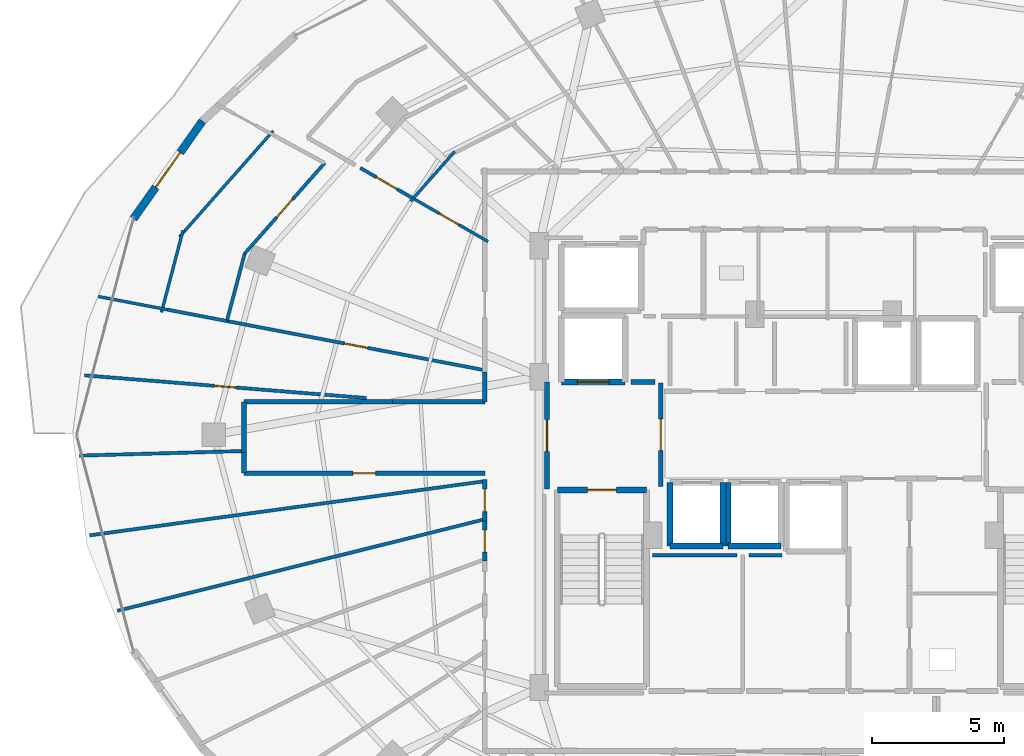
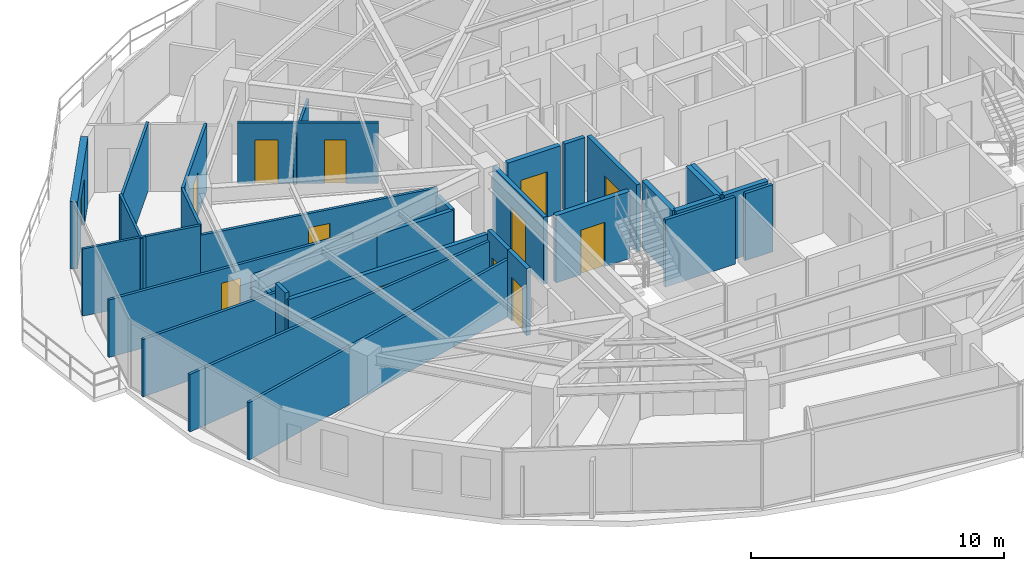
# One storey, part 25 of 33: 35 walls, 13 doors, 13 openings.
"""IFC4 building model written with IfcOpenShell, lengths in metres."""

from ifc_helpers import new_model, si_unit, direction, frame, frame_2d, origin, place, context, subcontext, project, spatial, rectangle, extrude, material, layer, layer_set, type_object, element, fill, save


model = new_model("IFC4")

# Units and contexts
model_context = context("Model", 3, precision=1e-05, world=origin(), true_north=direction((0.0, 1.0)))
body_context = subcontext(model_context, "Body", "Model", "MODEL_VIEW")
ifc_project = project(units=[si_unit("LENGTHUNIT", "METRE"), si_unit("AREAUNIT", "SQUARE_METRE"), si_unit("VOLUMEUNIT", "CUBIC_METRE"), si_unit("PLANEANGLEUNIT", "RADIAN"), si_unit("MASSUNIT", "GRAM", prefix="KILO")], contexts=[model_context])

# Site, building, storey
site_placement = place(None, origin())
site = spatial("IfcSite", under=ifc_project, at=site_placement, CompositionType="ELEMENT")
building_placement = place(site_placement, origin())
building = spatial("IfcBuilding", under=site, at=building_placement, Name="Vorneva Point Tower", CompositionType="ELEMENT")
storey_placement = place(building_placement, frame((0.0, 0.0, 189.60009765625)))
storey = spatial("IfcBuildingStorey", under=building, at=storey_placement, Name="L51", CompositionType="ELEMENT", Elevation=189.60009765625)

# Wall, opening, door
ifc_material_1 = material(Name="Concrete B60 (C50/60)", Category="concrete")
ifc_layer_1 = layer(ifc_material_1, 0.35009765625)
ifc_layer_set_1 = layer_set([ifc_layer_1], Name="Concrete B60 (C50/60)")
wall_type_1 = type_object("IfcWallType", Name="WL-CORE-350", PredefinedType="SHEAR", material=ifc_layer_set_1)
wall_1_placement = place(storey_placement, frame((28.10009765625, 28.0, 0.0), z_axis=(0.0, 0.0, 1.0), x_axis=(1.0, 0.0, 0.0)))
wall_1 = element("IfcWall", 1, at=wall_1_placement, inside=storey, type_object=wall_type_1, Name="L51 Lift FFL1 Shaft Wall -Y", PredefinedType="SHEAR", context=body_context, shape_type="SweptSolid", body=[
    extrude(rectangle(XDim=2.39990234375, YDim=0.219970703125, at=frame_2d((1.199951171875, 0.0))), origin(), (0.0, 0.0, 1.0), 3.239990234375),
])
opening_1_placement = place(wall_1_placement, frame((0.60009765625, 0.0, 0.0)))
opening_1 = element("IfcOpeningElement", 2, at=opening_1_placement, cuts=wall_1, Name="Opening LD-02", PredefinedType="OPENING", context=body_context, shape_type="SweptSolid", body=[
    extrude(rectangle(XDim=1.199951171875, YDim=2.199951171875, at=frame_2d((0.60009765625, 1.10009765625))), frame((0.0, 0.125, 0.0), z_axis=(0.0, -1.0, 0.0), x_axis=(1.0, 0.0, 0.0)), (0.0, 0.0, 1.0), 0.249755859375),
])
ifc_material_2 = material(Name="Brushed stainless steel S304", Category="steel")
door_type_1 = type_object("IfcDoorType", Name="LD-FIRE-1200", OperationType="SLIDING_TO_LEFT", PredefinedType="DOOR", material=ifc_material_2)
door_1_placement = place(opening_1_placement, origin())
door_1 = element("IfcDoor", 3, at=door_1_placement, inside=storey, type_object=door_type_1, Name="L51 Lift FFL1 Sliding Landing Door", OperationType="SLIDING_TO_LEFT", OverallHeight=2.199951171875, OverallWidth=1.199951171875, PredefinedType="DOOR", context=body_context, shape_type="SweptSolid", body=[
    extrude(rectangle(XDim=1.199951171875, YDim=2.199951171875, at=frame_2d((0.60009765625, 1.10009765625))), frame((0.0, 0.02490234375, 0.0), z_axis=(0.0, -1.0, 0.0), x_axis=(1.0, 0.0, 0.0)), (0.0, 0.0, 1.0), 0.050048828125),
])
fill(opening_1, door_1)

ifc_material_3 = material(Name="Precast concrete B50 (C40/50)", Category="concrete")
ifc_layer_2 = layer(ifc_material_3, 0.300048828125)
ifc_layer_set_2 = layer_set([ifc_layer_2], Name="Precast concrete B50 (C40/50)")
wall_type_2 = type_object("IfcWallType", Name="WL-EXT-300", PredefinedType="STANDARD", material=ifc_layer_set_2)
wall_2_placement = place(storey_placement, frame((14.527587890625, 37.861328125, 0.0), z_axis=(0.0, 0.0, 1.0), x_axis=(-0.577168747264, -0.81662490605, 0.0)))
wall_2 = element("IfcWall", 4, at=wall_2_placement, inside=storey, type_object=wall_type_2, Name="L51 Pale-Metal Facade Spandrel Wall 07.2", PredefinedType="STANDARD", context=body_context, shape_type="SweptSolid", body=[
    extrude(rectangle(XDim=4.519775390625, YDim=0.300048828125, at=frame_2d((2.259765625, 0.0))), origin(), (0.0, 0.0, 1.0), 3.239990234375),
])
opening_2_placement = place(wall_2_placement, frame((1.4599609375, 0.0, 0.0)))
opening_2 = element("IfcOpeningElement", 5, at=opening_2_placement, cuts=wall_2, Name="Opening BD-01", PredefinedType="OPENING", context=body_context, shape_type="SweptSolid", body=[
    extrude(rectangle(XDim=1.60009765625, YDim=2.300048828125, at=frame_2d((0.800048828125, 1.14990234375))), frame((0.0, 0.1650390625, 0.0), z_axis=(0.0, -1.0, 0.0), x_axis=(1.0, 0.0, 0.0)), (0.0, 0.0, 1.0), 0.329833984375),
])
ifc_material_4 = material(Name="Pale anodised aluminium", Category="aluminium")
door_type_2 = type_object("IfcDoorType", Name="DR-BAL-1600", OperationType="SLIDING_TO_LEFT", PredefinedType="DOOR", material=ifc_material_4)
door_2_placement = place(opening_2_placement, origin())
door_2 = element("IfcDoor", 6, at=door_2_placement, inside=storey, type_object=door_type_2, Name="L51 Balcony Terrace Access Door 07", OperationType="SLIDING_TO_LEFT", OverallHeight=2.300048828125, OverallWidth=1.60009765625, PredefinedType="DOOR", context=body_context, shape_type="SweptSolid", body=[
    extrude(rectangle(XDim=1.60009765625, YDim=2.300048828125, at=frame_2d((0.800048828125, 1.14990234375))), frame((0.0, 0.02490234375, 0.0), z_axis=(0.0, -1.0, 0.0), x_axis=(1.0, 0.0, 0.0)), (0.0, 0.0, 1.0), 0.050048828125),
])
fill(opening_2, door_2)

ifc_material_5 = material(Name="Fire-rated acoustic gypsum stud partition", Category="gypsum")
ifc_layer_3 = layer(ifc_material_5, 0.110107421875)
ifc_layer_set_3 = layer_set([ifc_layer_3], Name="Fire-rated acoustic gypsum stud partition")
wall_type_3 = type_object("IfcWallType", Name="WL-PART-110", PredefinedType="PARTITIONING", material=ifc_layer_set_3)
wall_3_placement = place(storey_placement, frame((25.3212890625, 33.30615234375, 0.0), z_axis=(0.0, 0.0, 1.0), x_axis=(-0.866517217622, 0.49914718427, 0.0)))
wall_3 = element("IfcWall", 7, at=wall_3_placement, inside=storey, type_object=wall_type_3, Name="L51 Interior Partition 095", PredefinedType="PARTITIONING", context=body_context, shape_type="SweptSolid", body=[
    extrude(rectangle(XDim=3.4052734375, YDim=0.110107421875, at=frame_2d((1.70263671875, 0.0))), origin(), (0.0, 0.0, 1.0), 2.921875),
])
opening_3_placement = place(wall_3_placement, frame((1.277587890625, 0.0, 0.0)))
opening_3 = element("IfcOpeningElement", 8, at=opening_3_placement, cuts=wall_3, Name="Opening ID-02", PredefinedType="OPENING", context=body_context, shape_type="SweptSolid", body=[
    extrude(rectangle(XDim=0.85009765625, YDim=2.10009765625, at=frame_2d((0.425048828125, 1.050048828125))), frame((0.0, 0.06982421875, 0.0), z_axis=(0.0, -1.0, 0.0), x_axis=(1.0, 0.0, 0.0)), (0.0, 0.0, 1.0), 0.139892578125),
])
ifc_material_6 = material(Name="Engineered oak fire-rated door leaf", Category="wood")
door_type_3 = type_object("IfcDoorType", Name="DR-BATH-850", OperationType="NOTDEFINED", PredefinedType="DOOR", material=ifc_material_6)
door_3_placement = place(opening_3_placement, origin())
door_3 = element("IfcDoor", 9, at=door_3_placement, inside=storey, type_object=door_type_3, Name="L51 Door Living and Dining Room L51-02 / Bathroom L51-02", OperationType="SINGLE_SWING_LEFT", OverallHeight=2.10009765625, OverallWidth=0.85009765625, PredefinedType="DOOR", context=body_context, shape_type="SweptSolid", body=[
    extrude(rectangle(XDim=0.85009765625, YDim=2.10009765625, at=frame_2d((0.425048828125, 1.050048828125))), frame((0.0, 0.02490234375, 0.0), z_axis=(0.0, -1.0, 0.0), x_axis=(1.0, 0.0, 0.0)), (0.0, 0.0, 1.0), 0.050048828125),
])
fill(opening_3, door_3)

# Walls
wall_4_placement = place(storey_placement, frame((13.21044921875, 30.728759765625, 0.0), z_axis=(0.0, 0.0, 1.0), x_axis=(-0.982266305937, 0.187491077708, 0.0)))
element("IfcWall", 10, at=wall_4_placement, inside=storey, type_object=wall_type_3, Name="L51 Interior Partition 097", PredefinedType="PARTITIONING", context=body_context, shape_type="SweptSolid", body=[
    extrude(rectangle(XDim=2.664306640625, YDim=0.110107421875, at=frame_2d((1.33203125, 0.0))), origin(), (0.0, 0.0, 1.0), 3.239990234375),
])
wall_5_placement = place(storey_placement, frame((22.3994140625, 34.8310546875, 0.0), z_axis=(0.0, 0.0, 1.0), x_axis=(0.662292938072, 0.749244996099, 0.0)))
element("IfcWall", 11, at=wall_5_placement, inside=storey, type_object=wall_type_3, Name="L51 Interior Partition 103", PredefinedType="PARTITIONING", context=body_context, shape_type="SweptSolid", body=[
    extrude(rectangle(XDim=2.512939453125, YDim=0.110107421875, at=frame_2d((1.25634765625, 0.0))), origin(), (0.0, 0.0, 1.0), 2.431884765625),
])
wall_6_placement = place(storey_placement, frame((12.978515625, 30.631591796875, 0.0), z_axis=(0.0, 0.0, 1.0), x_axis=(0.254121849718, 0.967172210879, 0.0)))
element("IfcWall", 12, at=wall_6_placement, inside=storey, type_object=wall_type_3, Name="L51 Interior Partition 105", PredefinedType="PARTITIONING", context=body_context, shape_type="SweptSolid", body=[
    extrude(rectangle(XDim=3.203125, YDim=0.110107421875, at=frame_2d((1.6015625, 0.0))), origin(), (0.0, 0.0, 1.0), 3.239990234375),
])
wall_7_placement = place(storey_placement, frame((13.664306640625, 33.489013671875, 0.0), z_axis=(0.0, 0.0, 1.0), x_axis=(0.662149418065, 0.74937183571, 0.0)))
element("IfcWall", 13, at=wall_7_placement, inside=storey, type_object=wall_type_3, Name="L51 Interior Partition 106", PredefinedType="PARTITIONING", context=body_context, shape_type="SweptSolid", body=[
    extrude(rectangle(XDim=5.337890625, YDim=0.110107421875, at=frame_2d((2.6689453125, 0.0))), origin(), (0.0, 0.0, 1.0), 3.239990234375),
])

# Wall, opening, door
ifc_layer_4 = layer(ifc_material_5, 0.125)
ifc_layer_set_4 = layer_set([ifc_layer_4], Name="Fire-rated acoustic gypsum stud partition")
wall_type_4 = type_object("IfcWallType", Name="WL-PART-125", PredefinedType="PARTITIONING", material=ifc_layer_set_4)
wall_8_placement = place(storey_placement, frame((22.491943359375, 34.93603515625, 0.0), z_axis=(0.0, 0.0, 1.0), x_axis=(-0.866435390844, 0.499289208267, 0.0)))
wall_8 = element("IfcWall", 14, at=wall_8_placement, inside=storey, type_object=wall_type_4, Name="L51 Interior Partition 094", PredefinedType="PARTITIONING", context=body_context, shape_type="SweptSolid", body=[
    extrude(rectangle(XDim=2.309326171875, YDim=0.125, at=frame_2d((1.15478515625, 0.0))), origin(), (0.0, 0.0, 1.0), 2.921875),
])
opening_4_placement = place(wall_8_placement, frame((0.70458984375, 0.0, 0.0)))
opening_4 = element("IfcOpeningElement", 15, at=opening_4_placement, cuts=wall_8, Name="Opening ID-01", PredefinedType="OPENING", context=body_context, shape_type="SweptSolid", body=[
    extrude(rectangle(XDim=0.89990234375, YDim=2.10009765625, at=frame_2d((0.449951171875, 1.050048828125))), frame((0.0, 0.077392578125, 0.0), z_axis=(0.0, -1.0, 0.0), x_axis=(1.0, 0.0, 0.0)), (0.0, 0.0, 1.0), 0.15478515625),
])
door_type_4 = type_object("IfcDoorType", Name="DR-ROOM-900", OperationType="NOTDEFINED", PredefinedType="DOOR", material=ifc_material_6)
door_4_placement = place(opening_4_placement, origin())
door_4 = element("IfcDoor", 16, at=door_4_placement, inside=storey, type_object=door_type_4, Name="L51 Door Living and Dining Room L51-02 / Family Dining Room L51-02", OperationType="SINGLE_SWING_RIGHT", OverallHeight=2.10009765625, OverallWidth=0.89990234375, PredefinedType="DOOR", context=body_context, shape_type="SweptSolid", body=[
    extrude(rectangle(XDim=0.89990234375, YDim=2.10009765625, at=frame_2d((0.449951171875, 1.050048828125))), frame((0.0, 0.02490234375, 0.0), z_axis=(0.0, -1.0, 0.0), x_axis=(1.0, 0.0, 0.0)), (0.0, 0.0, 1.0), 0.050048828125),
])
fill(opening_4, door_4)

wall_9_placement = place(storey_placement, frame((19.14501953125, 36.27294921875, 0.0), z_axis=(0.0, 0.0, 1.0), x_axis=(-0.662162868769, -0.749359950373, 0.0)))
wall_9 = element("IfcWall", 17, at=wall_9_placement, inside=storey, type_object=wall_type_4, Name="L51 Interior Partition 099", PredefinedType="PARTITIONING", context=body_context, shape_type="SweptSolid", body=[
    extrude(rectangle(XDim=4.563720703125, YDim=0.125, at=frame_2d((2.28173828125, 0.0))), origin(), (0.0, 0.0, 1.0), 3.239990234375),
])
opening_5_placement = place(wall_9_placement, frame((1.831787109375, 0.0, 0.0)))
opening_5 = element("IfcOpeningElement", 18, at=opening_5_placement, cuts=wall_9, Name="Opening ID-01", PredefinedType="OPENING", context=body_context, shape_type="SweptSolid", body=[
    extrude(rectangle(XDim=0.89990234375, YDim=2.10009765625, at=frame_2d((0.449951171875, 1.050048828125))), frame((0.0, 0.077392578125, 0.0), z_axis=(0.0, -1.0, 0.0), x_axis=(1.0, 0.0, 0.0)), (0.0, 0.0, 1.0), 0.15478515625),
])
door_5_placement = place(opening_5_placement, origin())
door_5 = element("IfcDoor", 19, at=door_5_placement, inside=storey, type_object=door_type_4, Name="L51 Door Living and Dining Room L51-02 / Study Room L51-02", OperationType="SINGLE_SWING_RIGHT", OverallHeight=2.10009765625, OverallWidth=0.89990234375, PredefinedType="DOOR", context=body_context, shape_type="SweptSolid", body=[
    extrude(rectangle(XDim=0.89990234375, YDim=2.10009765625, at=frame_2d((0.449951171875, 1.050048828125))), frame((0.0, 0.02490234375, 0.0), z_axis=(0.0, -1.0, 0.0), x_axis=(1.0, 0.0, 0.0)), (0.0, 0.0, 1.0), 0.050048828125),
])
fill(opening_5, door_5)

# Walls
wall_10_placement = place(storey_placement, frame((16.123046875, 32.85302734375, 0.0), z_axis=(0.0, 0.0, 1.0), x_axis=(-0.254775717765, -0.967000172512, 0.0)))
element("IfcWall", 20, at=wall_10_placement, inside=storey, type_object=wall_type_4, Name="L51 Interior Partition 100", PredefinedType="PARTITIONING", context=body_context, shape_type="SweptSolid", body=[
    extrude(rectangle(XDim=2.63818359375, YDim=0.125, at=frame_2d((1.319091796875, 0.0))), origin(), (0.0, 0.0, 1.0), 3.239990234375),
])
wall_11_placement = place(storey_placement, frame((15.450927734375, 30.302001953125, 0.0), z_axis=(0.0, 0.0, 1.0), x_axis=(-0.982295439063, 0.187338384738, 0.0)))
element("IfcWall", 21, at=wall_11_placement, inside=storey, type_object=wall_type_4, Name="L51 Interior Partition 101", PredefinedType="PARTITIONING", context=body_context, shape_type="SweptSolid", body=[
    extrude(rectangle(XDim=2.280517578125, YDim=0.125, at=frame_2d((1.14013671875, 0.0))), origin(), (0.0, 0.0, 1.0), 3.239990234375),
])

# Wall, opening, door
wall_12_placement = place(storey_placement, frame((15.450927734375, 30.3017578125, 0.0), z_axis=(0.0, 0.0, 1.0), x_axis=(0.982284698783, -0.187394691859, 0.0)))
wall_12 = element("IfcWall", 22, at=wall_12_placement, inside=storey, type_object=wall_type_4, Name="L51 Interior Partition 102", PredefinedType="PARTITIONING", context=body_context, shape_type="SweptSolid", body=[
    extrude(rectangle(XDim=9.9248046875, YDim=0.125, at=frame_2d((4.96240234375, 0.0))), origin(), (0.0, 0.0, 1.0), 2.77392578125),
])
opening_6_placement = place(wall_12_placement, frame((4.512451171875, 0.0, 0.0)))
opening_6 = element("IfcOpeningElement", 23, at=opening_6_placement, cuts=wall_12, Name="Opening ID-01", PredefinedType="OPENING", context=body_context, shape_type="SweptSolid", body=[
    extrude(rectangle(XDim=0.89990234375, YDim=2.10009765625, at=frame_2d((0.449951171875, 1.050048828125))), frame((0.0, 0.077392578125, 0.0), z_axis=(0.0, -1.0, 0.0), x_axis=(1.0, 0.0, 0.0)), (0.0, 0.0, 1.0), 0.15478515625),
])
door_6_placement = place(opening_6_placement, origin())
door_6 = element("IfcDoor", 24, at=door_6_placement, inside=storey, type_object=door_type_4, Name="L51 Door Living and Dining Room L51-02 / Master Bedroom L51-02.1", OperationType="SINGLE_SWING_LEFT", OverallHeight=2.10009765625, OverallWidth=0.89990234375, PredefinedType="DOOR", context=body_context, shape_type="SweptSolid", body=[
    extrude(rectangle(XDim=0.89990234375, YDim=2.10009765625, at=frame_2d((0.449951171875, 1.050048828125))), frame((0.0, 0.02490234375, 0.0), z_axis=(0.0, -1.0, 0.0), x_axis=(1.0, 0.0, 0.0)), (0.0, 0.0, 1.0), 0.050048828125),
])
fill(opening_6, door_6)

wall_13_placement = place(storey_placement, frame((10.06396484375, 28.248046875, 0.0), z_axis=(0.0, 0.0, 1.0), x_axis=(0.996775744362, -0.080237867939, 0.0)))
wall_13 = element("IfcWall", 25, at=wall_13_placement, inside=storey, type_object=wall_type_4, Name="L51 Interior Partition 107", PredefinedType="PARTITIONING", context=body_context, shape_type="SweptSolid", body=[
    extrude(rectangle(XDim=10.695068359375, YDim=0.125, at=frame_2d((5.34765625, 0.0))), origin(), (0.0, 0.0, 1.0), 2.77392578125),
])
opening_7_placement = place(wall_13_placement, frame((4.922607421875, 0.0, 0.0)))
opening_7 = element("IfcOpeningElement", 26, at=opening_7_placement, cuts=wall_13, Name="Opening ID-02", PredefinedType="OPENING", context=body_context, shape_type="SweptSolid", body=[
    extrude(rectangle(XDim=0.85009765625, YDim=2.10009765625, at=frame_2d((0.425048828125, 1.050048828125))), frame((0.0, 0.077392578125, 0.0), z_axis=(0.0, -1.0, 0.0), x_axis=(1.0, 0.0, 0.0)), (0.0, 0.0, 1.0), 0.15478515625),
])
door_7_placement = place(opening_7_placement, origin())
door_7 = element("IfcDoor", 27, at=door_7_placement, inside=storey, type_object=door_type_3, Name="L51 Access Door Master Bedroom L51-02.1", OperationType="SINGLE_SWING_RIGHT", OverallHeight=2.10009765625, OverallWidth=0.85009765625, PredefinedType="DOOR", context=body_context, shape_type="SweptSolid", body=[
    extrude(rectangle(XDim=0.85009765625, YDim=2.10009765625, at=frame_2d((0.425048828125, 1.050048828125))), frame((0.0, 0.02490234375, 0.0), z_axis=(0.0, -1.0, 0.0), x_axis=(1.0, 0.0, 0.0)), (0.0, 0.0, 1.0), 0.050048828125),
])
fill(opening_7, door_7)

# Walls
wall_14_placement = place(storey_placement, frame((9.873046875, 25.214111328125, 0.0), z_axis=(0.0, 0.0, 1.0), x_axis=(0.999610603939, 0.027904130401, 0.0)))
element("IfcWall", 28, at=wall_14_placement, inside=storey, type_object=wall_type_4, Name="L51 Interior Partition 108", PredefinedType="PARTITIONING", context=body_context, shape_type="SweptSolid", body=[
    extrude(rectangle(XDim=6.2294921875, YDim=0.125, at=frame_2d((3.11474609375, 0.0))), origin(), (0.0, 0.0, 1.0), 2.77392578125),
])
wall_15_placement = place(storey_placement, frame((10.26611328125, 22.200927734375, 0.0), z_axis=(0.0, 0.0, 1.0), x_axis=(0.990743725495, 0.135745609106, 0.0)))
element("IfcWall", 29, at=wall_15_placement, inside=storey, type_object=wall_type_4, Name="L51 Interior Partition 109", PredefinedType="PARTITIONING", context=body_context, shape_type="SweptSolid", body=[
    extrude(rectangle(XDim=15.0732421875, YDim=0.125, at=frame_2d((7.53662109375, 0.0))), origin(), (0.0, 0.0, 1.0), 2.77392578125),
])
wall_16_placement = place(storey_placement, frame((11.31201171875, 19.345947265625, 0.0), z_axis=(0.0, 0.0, 1.0), x_axis=(0.970287811835, 0.241953636475, 0.0)))
element("IfcWall", 30, at=wall_16_placement, inside=storey, type_object=wall_type_4, Name="L51 Interior Partition 110", PredefinedType="PARTITIONING", context=body_context, shape_type="SweptSolid", body=[
    extrude(rectangle(XDim=14.313232421875, YDim=0.125, at=frame_2d((7.15673828125, 0.0))), origin(), (0.0, 0.0, 1.0), 2.77392578125),
])
ifc_layer_5 = layer(ifc_material_5, 0.139892578125)
ifc_layer_set_5 = layer_set([ifc_layer_5], Name="Fire-rated acoustic gypsum stud partition")
wall_type_5 = type_object("IfcWallType", Name="WL-PART-140", PredefinedType="PARTITIONING", material=ifc_layer_set_5)
wall_17_placement = place(storey_placement, frame((34.72998046875, 21.449951171875, 0.0), z_axis=(0.0, 0.0, 1.0), x_axis=(-1.0, 0.0, 0.0)))
element("IfcWall", 31, at=wall_17_placement, inside=storey, type_object=wall_type_5, Name="L51 Interior Closure Partition 137", PredefinedType="PARTITIONING", context=body_context, shape_type="SweptSolid", body=[
    extrude(rectangle(XDim=3.199951171875, YDim=0.139892578125, at=frame_2d((1.60009765625, 0.0))), origin(), (0.0, 0.0, 1.0), 3.239990234375),
])
wall_18_placement = place(storey_placement, frame((36.43896484375, 21.449951171875, 0.0), z_axis=(0.0, 0.0, 1.0), x_axis=(-1.0, 0.0, 0.0)))
element("IfcWall", 32, at=wall_18_placement, inside=storey, type_object=wall_type_5, Name="L51 Interior Closure Partition 138", PredefinedType="PARTITIONING", context=body_context, shape_type="SweptSolid", body=[
    extrude(rectangle(XDim=1.259033203125, YDim=0.139892578125, at=frame_2d((0.62939453125, 0.0))), origin(), (0.0, 0.0, 1.0), 3.239990234375),
])

# Wall, opening, door
ifc_material_7 = material(Name="Autoclaved aerated concrete blockwork", Category="masonry")
ifc_layer_6 = layer(ifc_material_7, 0.179931640625)
ifc_layer_set_6 = layer_set([ifc_layer_6], Name="Autoclaved aerated concrete blockwork")
wall_type_6 = type_object("IfcWallType", Name="WL-PART-180", PredefinedType="PARTITIONING", material=ifc_layer_set_6)
wall_19_placement = place(storey_placement, frame((31.85009765625, 24.044921875, 0.0), z_axis=(0.0, 0.0, 1.0), x_axis=(0.0, 1.0, 0.0)))
wall_19 = element("IfcWall", 33, at=wall_19_placement, inside=storey, type_object=wall_type_6, Name="L51 Interior Partition 001", PredefinedType="PARTITIONING", context=body_context, shape_type="SweptSolid", body=[
    extrude(rectangle(XDim=3.91015625, YDim=0.179931640625, at=frame_2d((1.955078125, 0.0))), origin(), (0.0, 0.0, 1.0), 3.239990234375),
])
opening_8_placement = place(wall_19_placement, frame((1.35498046875, 0.0, 0.0)))
opening_8 = element("IfcOpeningElement", 34, at=opening_8_placement, cuts=wall_19, Name="Opening FD-02", PredefinedType="OPENING", context=body_context, shape_type="SweptSolid", body=[
    extrude(rectangle(XDim=1.199951171875, YDim=2.14990234375, at=frame_2d((0.60009765625, 1.074951171875))), frame((0.0, 0.10498046875, 0.0), z_axis=(0.0, -1.0, 0.0), x_axis=(1.0, 0.0, 0.0)), (0.0, 0.0, 1.0), 0.209716796875),
])
ifc_material_8 = material(Name="Fire-rated powder-coated steel", Category="steel")
door_type_5 = type_object("IfcDoorType", Name="DR-FFL-1200", OperationType="NOTDEFINED", PredefinedType="DOOR", material=ifc_material_8)
door_8_placement = place(opening_8_placement, origin())
door_8 = element("IfcDoor", 35, at=door_8_placement, inside=storey, type_object=door_type_5, Name="L51 Door West Firefighting Lobby / Central Lift Lobby", OperationType="SINGLE_SWING_RIGHT", OverallHeight=2.14990234375, OverallWidth=1.199951171875, PredefinedType="DOOR", context=body_context, shape_type="SweptSolid", body=[
    extrude(rectangle(XDim=1.199951171875, YDim=2.14990234375, at=frame_2d((0.60009765625, 1.074951171875))), frame((0.0, 0.02490234375, 0.0), z_axis=(0.0, -1.0, 0.0), x_axis=(1.0, 0.0, 0.0)), (0.0, 0.0, 1.0), 0.050048828125),
])
fill(opening_8, door_8)

wall_20_placement = place(storey_placement, frame((27.550048828125, 28.0, 0.0), z_axis=(0.0, 0.0, 1.0), x_axis=(0.0, -1.0, 0.0)))
wall_20 = element("IfcWall", 36, at=wall_20_placement, inside=storey, type_object=wall_type_6, Name="L51 Interior Partition 002", PredefinedType="PARTITIONING", context=body_context, shape_type="SweptSolid", body=[
    extrude(rectangle(XDim=4.050048828125, YDim=0.179931640625, at=frame_2d((2.02490234375, 0.0))), origin(), (0.0, 0.0, 1.0), 3.239990234375),
])
opening_9_placement = place(wall_20_placement, frame((1.425048828125, 0.0, 0.0)))
opening_9 = element("IfcOpeningElement", 37, at=opening_9_placement, cuts=wall_20, Name="Opening FD-02", PredefinedType="OPENING", context=body_context, shape_type="SweptSolid", body=[
    extrude(rectangle(XDim=1.199951171875, YDim=2.14990234375, at=frame_2d((0.60009765625, 1.074951171875))), frame((0.0, 0.10498046875, 0.0), z_axis=(0.0, -1.0, 0.0), x_axis=(1.0, 0.0, 0.0)), (0.0, 0.0, 1.0), 0.209716796875),
])
door_9_placement = place(opening_9_placement, origin())
door_9 = element("IfcDoor", 38, at=door_9_placement, inside=storey, type_object=door_type_5, Name="L51 Door West Firefighting Lobby / L51 Circulation Corridor", OperationType="SINGLE_SWING_RIGHT", OverallHeight=2.14990234375, OverallWidth=1.199951171875, PredefinedType="DOOR", context=body_context, shape_type="SweptSolid", body=[
    extrude(rectangle(XDim=1.199951171875, YDim=2.14990234375, at=frame_2d((0.60009765625, 1.074951171875))), frame((0.0, 0.02490234375, 0.0), z_axis=(0.0, -1.0, 0.0), x_axis=(1.0, 0.0, 0.0)), (0.0, 0.0, 1.0), 0.050048828125),
])
fill(opening_9, door_9)

# Walls
wall_21_placement = place(storey_placement, frame((25.199951171875, 28.382080078125, 0.0), z_axis=(0.0, 0.0, 1.0), x_axis=(0.0, -1.0, 0.0)))
element("IfcWall", 39, at=wall_21_placement, inside=storey, type_object=wall_type_6, Name="L51 Interior Partition 046", PredefinedType="PARTITIONING", context=body_context, shape_type="SweptSolid", body=[
    extrude(rectangle(XDim=1.132080078125, YDim=0.179931640625, at=frame_2d((0.56591796875, 0.0))), origin(), (0.0, 0.0, 1.0), 2.431884765625),
])
wall_22_placement = place(storey_placement, frame((25.199951171875, 27.25, 0.0), z_axis=(0.0, 0.0, 1.0), x_axis=(-1.0, 0.0, 0.0)))
element("IfcWall", 40, at=wall_22_placement, inside=storey, type_object=wall_type_6, Name="L51 Interior Partition 047", PredefinedType="PARTITIONING", context=body_context, shape_type="SweptSolid", body=[
    extrude(rectangle(XDim=3.48388671875, YDim=0.179931640625, at=frame_2d((1.741943359375, 0.0))), origin(), (0.0, 0.0, 1.0), 2.431884765625),
])
wall_23_placement = place(storey_placement, frame((16.10009765625, 27.25, 0.0), z_axis=(0.0, 0.0, 1.0), x_axis=(0.0, -1.0, 0.0)))
element("IfcWall", 41, at=wall_23_placement, inside=storey, type_object=wall_type_6, Name="L51 Interior Partition 048", PredefinedType="PARTITIONING", context=body_context, shape_type="SweptSolid", body=[
    extrude(rectangle(XDim=1.922119140625, YDim=0.179931640625, at=frame_2d((0.9609375, 0.0))), origin(), (0.0, 0.0, 1.0), 2.431884765625),
])
wall_24_placement = place(storey_placement, frame((21.716064453125, 27.25, 0.0), z_axis=(0.0, 0.0, 1.0), x_axis=(-1.0, 0.0, 0.0)))
element("IfcWall", 42, at=wall_24_placement, inside=storey, type_object=wall_type_6, Name="L51 Interior Partition 049", PredefinedType="PARTITIONING", context=body_context, shape_type="SweptSolid", body=[
    extrude(rectangle(XDim=5.615966796875, YDim=0.179931640625, at=frame_2d((2.80810546875, 0.0))), origin(), (0.0, 0.0, 1.0), 2.431884765625),
])
wall_25_placement = place(storey_placement, frame((16.10009765625, 25.327880859375, 0.0), z_axis=(0.0, 0.0, 1.0), x_axis=(0.0, -1.0, 0.0)))
element("IfcWall", 43, at=wall_25_placement, inside=storey, type_object=wall_type_6, Name="L51 Interior Partition 050", PredefinedType="PARTITIONING", context=body_context, shape_type="SweptSolid", body=[
    extrude(rectangle(XDim=0.77783203125, YDim=0.179931640625, at=frame_2d((0.388916015625, 0.0))), origin(), (0.0, 0.0, 1.0), 3.239990234375),
])

# Wall, opening, door
wall_26_placement = place(storey_placement, frame((16.10009765625, 24.550048828125, 0.0), z_axis=(0.0, 0.0, 1.0), x_axis=(1.0, 0.0, 0.0)))
wall_26 = element("IfcWall", 44, at=wall_26_placement, inside=storey, type_object=wall_type_6, Name="L51 Interior Partition 051", PredefinedType="PARTITIONING", context=body_context, shape_type="SweptSolid", body=[
    extrude(rectangle(XDim=9.099853515625, YDim=0.179931640625, at=frame_2d((4.5498046875, 0.0))), origin(), (0.0, 0.0, 1.0), 2.921875),
])
opening_10_placement = place(wall_26_placement, frame((4.125, 0.0, 0.0)))
opening_10 = element("IfcOpeningElement", 45, at=opening_10_placement, cuts=wall_26, Name="Opening ID-02", PredefinedType="OPENING", context=body_context, shape_type="SweptSolid", body=[
    extrude(rectangle(XDim=0.85009765625, YDim=2.10009765625, at=frame_2d((0.425048828125, 1.050048828125))), frame((0.0, 0.10498046875, 0.0), z_axis=(0.0, -1.0, 0.0), x_axis=(1.0, 0.0, 0.0)), (0.0, 0.0, 1.0), 0.209716796875),
])
door_10_placement = place(opening_10_placement, origin())
door_10 = element("IfcDoor", 46, at=door_10_placement, inside=storey, type_object=door_type_3, Name="L51 Access Door L51 Circulation Corridor", OperationType="SINGLE_SWING_RIGHT", OverallHeight=2.10009765625, OverallWidth=0.85009765625, PredefinedType="DOOR", context=body_context, shape_type="SweptSolid", body=[
    extrude(rectangle(XDim=0.85009765625, YDim=2.10009765625, at=frame_2d((0.425048828125, 1.050048828125))), frame((0.0, 0.02490234375, 0.0), z_axis=(0.0, -1.0, 0.0), x_axis=(1.0, 0.0, 0.0)), (0.0, 0.0, 1.0), 0.050048828125),
])
fill(opening_10, door_10)

wall_27_placement = place(storey_placement, frame((25.199951171875, 24.306884765625, 0.0), z_axis=(0.0, 0.0, 1.0), x_axis=(0.0, -1.0, 0.0)))
wall_27 = element("IfcWall", 47, at=wall_27_placement, inside=storey, type_object=wall_type_6, Name="L51 Interior Partition 052", PredefinedType="PARTITIONING", context=body_context, shape_type="SweptSolid", body=[
    extrude(rectangle(XDim=1.559814453125, YDim=0.179931640625, at=frame_2d((0.77978515625, 0.0))), origin(), (0.0, 0.0, 1.0), 3.239990234375),
])
opening_11_placement = place(wall_27_placement, frame((0.35498046875, 0.0, 0.0)))
opening_11 = element("IfcOpeningElement", 48, at=opening_11_placement, cuts=wall_27, Name="Opening ID-02", PredefinedType="OPENING", context=body_context, shape_type="SweptSolid", body=[
    extrude(rectangle(XDim=0.85009765625, YDim=2.10009765625, at=frame_2d((0.425048828125, 1.050048828125))), frame((0.0, 0.10498046875, 0.0), z_axis=(0.0, -1.0, 0.0), x_axis=(1.0, 0.0, 0.0)), (0.0, 0.0, 1.0), 0.209716796875),
])
door_11_placement = place(opening_11_placement, origin())
door_11 = element("IfcDoor", 49, at=door_11_placement, inside=storey, type_object=door_type_3, Name="L51 Access Door L51 Circulation Corridor", OperationType="SINGLE_SWING_LEFT", OverallHeight=2.10009765625, OverallWidth=0.85009765625, PredefinedType="DOOR", context=body_context, shape_type="SweptSolid", body=[
    extrude(rectangle(XDim=0.85009765625, YDim=2.10009765625, at=frame_2d((0.425048828125, 1.050048828125))), frame((0.0, 0.02490234375, 0.0), z_axis=(0.0, -1.0, 0.0), x_axis=(1.0, 0.0, 0.0)), (0.0, 0.0, 1.0), 0.050048828125),
])
fill(opening_11, door_11)

wall_28_placement = place(storey_placement, frame((25.199951171875, 22.7470703125, 0.0), z_axis=(0.0, 0.0, 1.0), x_axis=(0.0, -1.0, 0.0)))
wall_28 = element("IfcWall", 50, at=wall_28_placement, inside=storey, type_object=wall_type_6, Name="L51 Interior Partition 053", PredefinedType="PARTITIONING", context=body_context, shape_type="SweptSolid", body=[
    extrude(rectangle(XDim=1.52001953125, YDim=0.179931640625, at=frame_2d((0.760009765625, 0.0))), origin(), (0.0, 0.0, 1.0), 3.239990234375),
])
opening_12_placement = place(wall_28_placement, frame((0.3349609375, 0.0, 0.0)))
opening_12 = element("IfcOpeningElement", 51, at=opening_12_placement, cuts=wall_28, Name="Opening ID-02", PredefinedType="OPENING", context=body_context, shape_type="SweptSolid", body=[
    extrude(rectangle(XDim=0.85009765625, YDim=2.10009765625, at=frame_2d((0.425048828125, 1.050048828125))), frame((0.0, 0.10498046875, 0.0), z_axis=(0.0, -1.0, 0.0), x_axis=(1.0, 0.0, 0.0)), (0.0, 0.0, 1.0), 0.209716796875),
])
door_12_placement = place(opening_12_placement, origin())
door_12 = element("IfcDoor", 52, at=door_12_placement, inside=storey, type_object=door_type_3, Name="L51 Access Door L51 Circulation Corridor", OperationType="SINGLE_SWING_RIGHT", OverallHeight=2.10009765625, OverallWidth=0.85009765625, PredefinedType="DOOR", context=body_context, shape_type="SweptSolid", body=[
    extrude(rectangle(XDim=0.85009765625, YDim=2.10009765625, at=frame_2d((0.425048828125, 1.050048828125))), frame((0.0, 0.02490234375, 0.0), z_axis=(0.0, -1.0, 0.0), x_axis=(1.0, 0.0, 0.0)), (0.0, 0.0, 1.0), 0.050048828125),
])
fill(opening_12, door_12)

# Wall
wall_29_placement = place(storey_placement, frame((31.635009765625, 28.0, 0.0), z_axis=(0.0, 0.0, 1.0), x_axis=(-1.0, 0.0, 0.0)))
element("IfcWall", 53, at=wall_29_placement, inside=storey, type_object=wall_type_6, Name="L51 Interior Closure Partition 133", PredefinedType="PARTITIONING", context=body_context, shape_type="SweptSolid", body=[
    extrude(rectangle(XDim=0.9150390625, YDim=0.179931640625, at=frame_2d((0.45751953125, 0.0))), origin(), (0.0, 0.0, 1.0), 3.239990234375),
])

# Wall, opening, door
ifc_material_9 = material(Name="Concrete B50 (C40/50)", Category="concrete")
ifc_layer_7 = layer(ifc_material_9, 0.219970703125)
ifc_layer_set_7 = layer_set([ifc_layer_7], Name="Concrete B50 (C40/50)")
wall_type_7 = type_object("IfcWallType", Name="WL-SHFT-220", PredefinedType="SOLIDWALL", material=ifc_layer_set_7)
wall_30_placement = place(storey_placement, frame((27.93994140625, 23.909912109375, 0.0), z_axis=(0.0, 0.0, 1.0), x_axis=(1.0, 0.0, 0.0)))
wall_30 = element("IfcWall", 54, at=wall_30_placement, inside=storey, type_object=wall_type_7, Name="L51 Exit Stair ST1 Shaft Wall near", PredefinedType="SOLIDWALL", context=body_context, shape_type="SweptSolid", body=[
    extrude(rectangle(XDim=3.3701171875, YDim=0.219970703125, at=frame_2d((1.68505859375, 0.0))), origin(), (0.0, 0.0, 1.0), 3.239990234375),
])
opening_13_placement = place(wall_30_placement, frame((1.135009765625, 0.0, 0.0)))
opening_13 = element("IfcOpeningElement", 55, at=opening_13_placement, cuts=wall_30, Name="Opening FD-01", PredefinedType="OPENING", context=body_context, shape_type="SweptSolid", body=[
    extrude(rectangle(XDim=1.10009765625, YDim=2.14990234375, at=frame_2d((0.550048828125, 1.074951171875))), frame((0.0, 0.125, 0.0), z_axis=(0.0, -1.0, 0.0), x_axis=(1.0, 0.0, 0.0)), (0.0, 0.0, 1.0), 0.249755859375),
])
door_type_6 = type_object("IfcDoorType", Name="DR-STAIR-1100", OperationType="NOTDEFINED", PredefinedType="DOOR", material=ifc_material_8)
door_13_placement = place(opening_13_placement, origin())
door_13 = element("IfcDoor", 56, at=door_13_placement, inside=storey, type_object=door_type_6, Name="L51 Exit Stair ST1 Fire Door", OperationType="SINGLE_SWING_LEFT", OverallHeight=2.14990234375, OverallWidth=1.10009765625, PredefinedType="DOOR", context=body_context, shape_type="SweptSolid", body=[
    extrude(rectangle(XDim=1.10009765625, YDim=2.14990234375, at=frame_2d((0.550048828125, 1.074951171875))), frame((0.0, 0.02490234375, 0.0), z_axis=(0.0, -1.0, 0.0), x_axis=(1.0, 0.0, 0.0)), (0.0, 0.0, 1.0), 0.050048828125),
])
fill(opening_13, door_13)

# Walls
wall_31_placement = place(storey_placement, frame((32.199951171875, 21.800048828125, 0.0), z_axis=(0.0, 0.0, 1.0), x_axis=(1.0, 0.0, 0.0)))
element("IfcWall", 57, at=wall_31_placement, inside=storey, type_object=wall_type_7, Name="L51 Lift PL4 Shaft Wall -Y", PredefinedType="SOLIDWALL", context=body_context, shape_type="SweptSolid", body=[
    extrude(rectangle(XDim=2.0, YDim=0.219970703125, at=frame_2d((1.0, 0.0))), origin(), (0.0, 0.0, 1.0), 3.239990234375),
])
for number, where, z_axis, x_axis, name in (
    (58, (34.199951171875, 21.800048828125, 0.0), (0.0, 0.0, 1.0), (0.0, 1.0, 0.0), "L51 Lift PL4 Shaft Wall +X"),
    (59, (32.199951171875, 24.199951171875, 0.0), (0.0, 0.0, 1.0), (0.0, -1.0, 0.0), "L51 Lift PL4 Shaft Wall -X"),
):
    element("IfcWall", number, at=place(storey_placement, frame(where, z_axis=z_axis, x_axis=x_axis)), inside=storey, type_object=wall_type_7, Name=name, PredefinedType="SOLIDWALL", context=body_context, shape_type="SweptSolid", body=[
        extrude(rectangle(XDim=2.39990234375, YDim=0.219970703125, at=frame_2d((1.199951171875, 0.0))), origin(), (0.0, 0.0, 1.0), 3.239990234375),
    ])
wall_32_placement = place(storey_placement, frame((34.39990234375, 21.800048828125, 0.0), z_axis=(0.0, 0.0, 1.0), x_axis=(1.0, 0.0, 0.0)))
element("IfcWall", 60, at=wall_32_placement, inside=storey, type_object=wall_type_7, Name="L51 Lift PL5 Shaft Wall -Y", PredefinedType="SOLIDWALL", context=body_context, shape_type="SweptSolid", body=[
    extrude(rectangle(XDim=2.0, YDim=0.219970703125, at=frame_2d((1.0, 0.0))), origin(), (0.0, 0.0, 1.0), 3.239990234375),
])
wall_33_placement = place(storey_placement, frame((34.39990234375, 24.199951171875, 0.0), z_axis=(0.0, 0.0, 1.0), x_axis=(0.0, -1.0, 0.0)))
element("IfcWall", 61, at=wall_33_placement, inside=storey, type_object=wall_type_7, Name="L51 Lift PL5 Shaft Wall -X", PredefinedType="SOLIDWALL", context=body_context, shape_type="SweptSolid", body=[
    extrude(rectangle(XDim=2.39990234375, YDim=0.219970703125, at=frame_2d((1.199951171875, 0.0))), origin(), (0.0, 0.0, 1.0), 3.239990234375),
])

save(model, "model.ifc")
